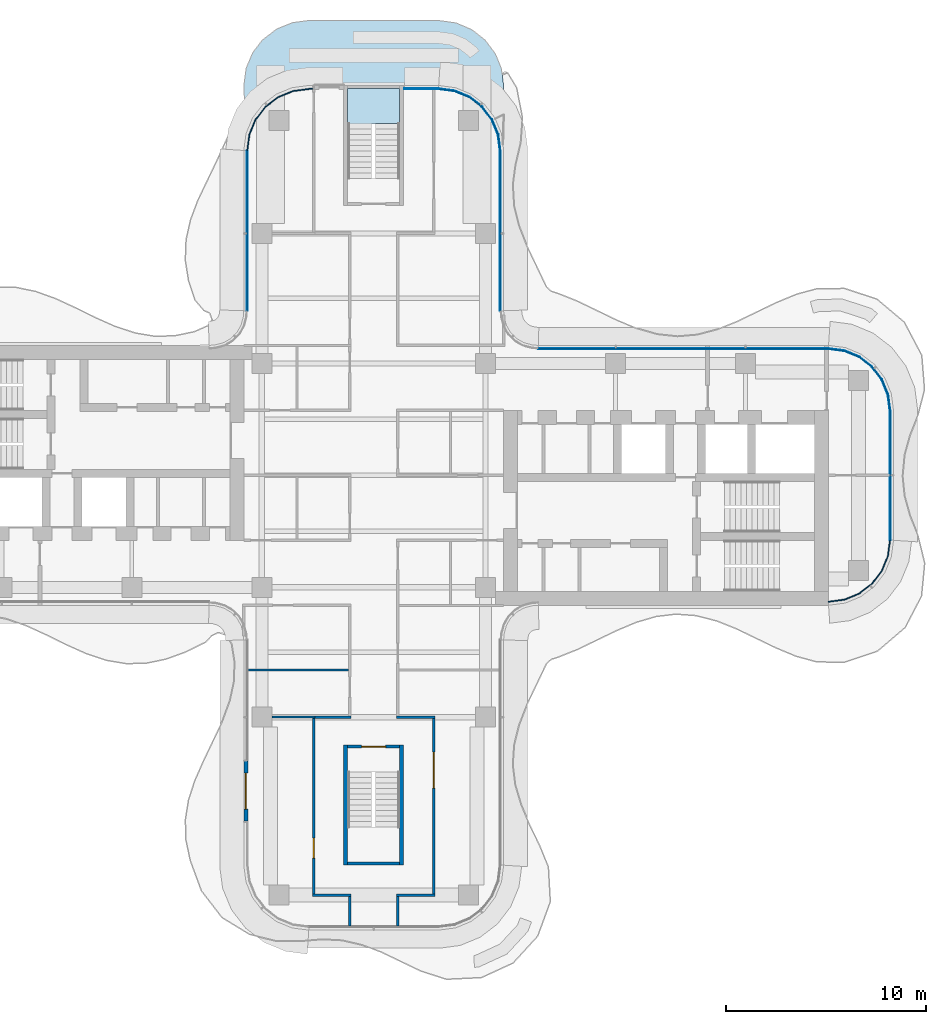
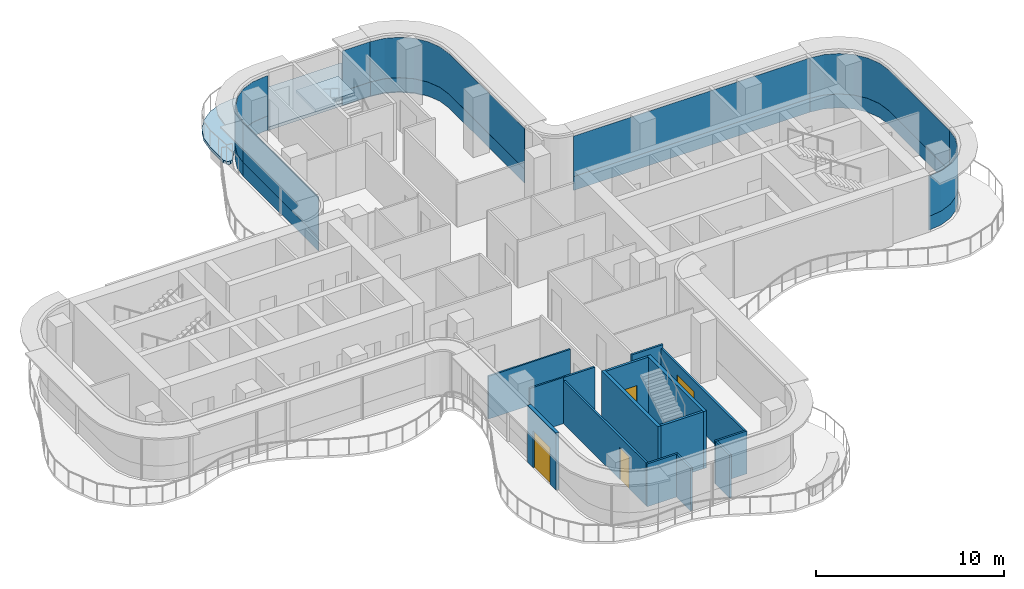
# One storey, part 10 of 16: 15 walls, 14 plates, 4 doors, 2 slabs, 4 openings, 8 elements without a shape of their own.
"""IFC4 building model written with IfcOpenShell, lengths in metres."""

from ifc_helpers import new_model, si_unit, direction, frame, frame_2d, origin, place, context, subcontext, project, spatial, polyline, rectangle, outline, extrude, source, transform, mapped, material, layer, layer_set, type_object, element, fill, aggregate, save


model = new_model("IFC4")

# Units and contexts
model_context = context("Model", 3, precision=1e-05, world=origin(), true_north=direction((0.0, 1.0)))
body_context = subcontext(model_context, "Body", "Model", "MODEL_VIEW")
ifc_project = project(units=[si_unit("LENGTHUNIT", "METRE"), si_unit("AREAUNIT", "SQUARE_METRE"), si_unit("VOLUMEUNIT", "CUBIC_METRE"), si_unit("PLANEANGLEUNIT", "RADIAN"), si_unit("MASSUNIT", "GRAM", prefix="KILO")], contexts=[model_context])

# Site, building, storey
site_placement = place(None, origin())
site = spatial("IfcSite", under=ifc_project, at=site_placement, CompositionType="ELEMENT")
building_placement = place(site_placement, origin())
building = spatial("IfcBuilding", under=site, at=building_placement, Name="Trellis Farm Tower", CompositionType="ELEMENT")
storey_placement = place(building_placement, frame((0.0, 0.0, 302.800048828125)))
storey = spatial("IfcBuildingStorey", under=building, at=storey_placement, Name="L68", CompositionType="ELEMENT", Elevation=302.800048828125)

# Curtain wall, plates
ifc_material_1 = material(Name="Aluminium and glass curtain wall", Category="aluminium")
ifc_layer_1 = layer(ifc_material_1, 0.18994140625)
ifc_layer_set_1 = layer_set([ifc_layer_1], Name="RIBBON CURTAIN WALL CW1")
curtain_wall_type = type_object("IfcCurtainWallType", Name="RIBBON CURTAIN WALL CW1", PredefinedType="NOTDEFINED", material=ifc_layer_set_1)
placement_1 = place(storey_placement, origin())
curtain_wall_1 = element("IfcCurtainWall", 1, at=placement_1, inside=storey, type_object=curtain_wall_type, Name="CW1 011", PredefinedType="NOTDEFINED")
ifc_material_2 = material(Name="Clear insulated glass", Category="glass")
ifc_layer_2 = layer(ifc_material_2, 0.0400390625)
ifc_layer_set_2 = layer_set([ifc_layer_2], Name="CW1 GLASS PANEL 40")
plate_type_1 = type_object("IfcPlateType", Name="CW1 GLASS PANEL 40", PredefinedType="CURTAIN_PANEL", material=ifc_layer_set_2)
placement_2 = place(storey_placement, frame((0.0, 0.0, 0.89990234375)))
plate_1 = element("IfcPlate", 2, at=placement_2, type_object=plate_type_1, Name="PL1 011", PredefinedType="CURTAIN_PANEL", context=body_context, shape_type="SweptSolid", body=[
    extrude(outline(polyline([(-3.0400390625, 19.35009765625), (-3.240234375, 19.35009765625), (-4.052001953125, 19.2431640625), (-4.79931640625, 18.93359375), (-5.441162109375, 18.441162109375), (-5.93359375, 17.79931640625), (-6.2431640625, 17.052001953125), (-6.35009765625, 16.240234375), (-6.31005859375, 16.237548828125), (-6.2041015625, 17.04150390625), (-5.898681640625, 17.779296875), (-5.41259765625, 18.41259765625), (-4.779296875, 18.898681640625), (-4.04150390625, 19.2041015625), (-3.237548828125, 19.31005859375), (-3.0400390625, 19.31005859375), (-3.0400390625, 19.35009765625)])), origin(), (0.0, 0.0, 1.0), 2.6201171875),
])
ifc_material_3 = material(Name="Sandstone faced insulated panel", Category="masonry")
ifc_layer_3 = layer(ifc_material_3, 0.050048828125)
ifc_layer_set_3 = layer_set([ifc_layer_3], Name="CW1 STONE SPANDREL PANEL 50")
plate_type_2 = type_object("IfcPlateType", Name="CW1 STONE SPANDREL PANEL 50", PredefinedType="CURTAIN_PANEL", material=ifc_layer_set_3)
plate_2 = element("IfcPlate", 3, at=placement_1, type_object=plate_type_2, Name="PS1 011", PredefinedType="CURTAIN_PANEL", context=body_context, shape_type="SweptSolid", body=[
    extrude(outline(polyline([(-3.0400390625, 19.35009765625), (-3.240234375, 19.35009765625), (-4.052001953125, 19.2431640625), (-4.79931640625, 18.93359375), (-5.441162109375, 18.441162109375), (-5.93359375, 17.79931640625), (-6.2431640625, 17.052001953125), (-6.35009765625, 16.240234375), (-6.300048828125, 16.23681640625), (-6.1943359375, 17.0390625), (-5.889892578125, 17.774169921875), (-5.405517578125, 18.405517578125), (-4.774169921875, 18.889892578125), (-4.0390625, 19.1943359375), (-3.23681640625, 19.300048828125), (-3.0400390625, 19.300048828125), (-3.0400390625, 19.35009765625)])), origin(), (0.0, 0.0, 1.0), 0.89990234375),
])
aggregate(curtain_wall_1, [plate_1, plate_2])

# Slab
ifc_material_4 = material(Name="Concrete C40/50", Category="concrete")
ifc_layer_4 = layer(ifc_material_4, 0.199951171875)
ifc_layer_set_4 = layer_set([ifc_layer_4], Name="Roof slab on composite deck 200")
slab_type_1 = type_object("IfcSlabType", Name="Roof slab on composite deck 200", PredefinedType="ROOF", material=ifc_layer_set_4)
slab_1_placement = place(storey_placement, frame((0.0, 0.0, -0.199951171875)))
element("IfcSlab", 4, at=slab_1_placement, inside=storey, type_object=slab_type_1, Name="Roof slab", PredefinedType="ROOF", context=body_context, shape_type="SweptSolid", body=[
    extrude(outline(polyline([(-6.4189453125, 17.859619140625), (-6.5, 18.0439453125), (-6.5, 19.483642578125), (-6.497802734375, 19.51611328125), (-6.3935546875, 20.30859375), (-6.376708984375, 20.37158203125), (-6.0771484375, 21.094482421875), (-6.04443359375, 21.151123046875), (-5.568115234375, 21.77197265625), (-5.52197265625, 21.818115234375), (-4.901123046875, 22.29443359375), (-4.844482421875, 22.3271484375), (-4.12158203125, 22.626708984375), (-4.05859375, 22.6435546875), (-3.26611328125, 22.747802734375), (-3.233642578125, 22.75), (3.233642578125, 22.75), (3.26611328125, 22.747802734375), (4.05859375, 22.6435546875), (4.12158203125, 22.626708984375), (4.844482421875, 22.3271484375), (4.901123046875, 22.29443359375), (5.52197265625, 21.818115234375), (5.568115234375, 21.77197265625), (6.04443359375, 21.151123046875), (6.0771484375, 21.094482421875), (6.376708984375, 20.37158203125), (6.3935546875, 20.30859375), (6.497802734375, 19.51611328125), (6.5, 19.483642578125), (6.5, 18.0439453125), (6.4189453125, 17.859619140625), (6.228271484375, 17.794921875), (6.052978515625, 17.89111328125), (5.548583984375, 18.548583984375), (4.875244140625, 19.065185546875), (4.09130859375, 19.389892578125), (3.25, 19.50048828125), (-3.25, 19.50048828125), (-4.09130859375, 19.389892578125), (-4.875244140625, 19.065185546875), (-5.548583984375, 18.548583984375), (-6.052978515625, 17.89111328125), (-6.228271484375, 17.794921875), (-6.4189453125, 17.859619140625)])), origin(), (0.0, 0.0, 1.0), 0.199951171875),
])

# Stair, slab
ifc_material_5 = material(Name="Concrete C50/60", Category="concrete")
stair_type = type_object("IfcStairType", Name="CORE EXIT STAIR 22 RISERS 177 MM", PredefinedType="HALF_TURN_STAIR", material=ifc_material_5)
stair = element("IfcStair", 5, at=placement_1, inside=storey, type_object=stair_type, Name="Exit stair N", PredefinedType="HALF_TURN_STAIR")
ifc_layer_5 = layer(ifc_material_5, 0.18994140625)
ifc_layer_set_5 = layer_set([ifc_layer_5], Name="CORE STAIR LANDING 190 CONCRETE C50/60")
slab_type_2 = type_object("IfcSlabType", Name="CORE STAIR LANDING 190 CONCRETE C50/60", PredefinedType="LANDING", material=ifc_layer_set_5)
shared_shape_1 = source(origin(), body_context, "Body", "SweptSolid", [
    extrude(outline(polyline([(-0.10009765625, 17.27197265625), (-1.300048828125, 17.27197265625), (-1.300048828125, 17.60009765625), (-1.300048828125, 19.35009765625), (1.300048828125, 19.35009765625), (1.300048828125, 17.60009765625), (1.300048828125, 17.590087890625), (0.10009765625, 17.590087890625), (0.10009765625, 17.60009765625), (-0.10009765625, 17.60009765625), (-0.10009765625, 17.27197265625)])), origin(), (0.0, 0.0, 1.0), 0.18994140625),
])
slab_2_placement = place(storey_placement, frame((0.0, 0.0, 1.760009765625)))
slab_2 = element("IfcSlab", 6, at=slab_2_placement, type_object=slab_type_2, Name="STN landing 1", PredefinedType="LANDING", context=body_context, shape_type="MappedRepresentation", body=[
    mapped(shared_shape_1, transform((0.0, 0.0, 0.0))),
])
aggregate(stair, [slab_2])

# Curtain wall, plates
curtain_wall_2 = element("IfcCurtainWall", 7, at=placement_1, inside=storey, type_object=curtain_wall_type, Name="CW1 006", PredefinedType="NOTDEFINED")
shared_shape_2 = source(origin(), body_context, "Body", "SweptSolid", [
    extrude(outline(polyline([(22.740234375, -6.35009765625), (23.552001953125, -6.2431640625), (24.29931640625, -5.93359375), (24.941162109375, -5.441162109375), (25.43359375, -4.79931640625), (25.7431640625, -4.052001953125), (25.85009765625, -3.240234375), (25.81005859375, -3.237548828125), (25.7041015625, -4.04150390625), (25.398681640625, -4.779296875), (24.91259765625, -5.41259765625), (24.279296875, -5.898681640625), (23.54150390625, -6.2041015625), (22.737548828125, -6.31005859375), (22.740234375, -6.35009765625)])), origin(), (0.0, 0.0, 1.0), 2.6201171875),
])
plate_3 = element("IfcPlate", 8, at=placement_2, type_object=plate_type_1, Name="PL1 006", PredefinedType="CURTAIN_PANEL", context=body_context, shape_type="MappedRepresentation", body=[
    mapped(shared_shape_2, transform((0.0, 0.0, 0.0))),
])
shared_shape_3 = source(origin(), body_context, "Body", "SweptSolid", [
    extrude(outline(polyline([(22.740234375, -6.35009765625), (23.552001953125, -6.2431640625), (24.29931640625, -5.93359375), (24.941162109375, -5.441162109375), (25.43359375, -4.79931640625), (25.7431640625, -4.052001953125), (25.85009765625, -3.240234375), (25.800048828125, -3.23681640625), (25.6943359375, -4.0390625), (25.389892578125, -4.774169921875), (24.905517578125, -5.405517578125), (24.274169921875, -5.889892578125), (23.5390625, -6.1943359375), (22.73681640625, -6.300048828125), (22.740234375, -6.35009765625)])), origin(), (0.0, 0.0, 1.0), 0.89990234375),
])
plate_4 = element("IfcPlate", 9, at=placement_1, type_object=plate_type_2, Name="PS1 006", PredefinedType="CURTAIN_PANEL", context=body_context, shape_type="MappedRepresentation", body=[
    mapped(shared_shape_3, transform((0.0, 0.0, 0.0))),
])
aggregate(curtain_wall_2, [plate_3, plate_4])

curtain_wall_3 = element("IfcCurtainWall", 10, at=placement_1, inside=storey, type_object=curtain_wall_type, Name="CW1 007", PredefinedType="NOTDEFINED")
shared_shape_4 = source(origin(), body_context, "Body", "SweptSolid", [
    extrude(outline(polyline([(25.85009765625, -3.240234375), (25.85009765625, 3.240234375), (25.7431640625, 4.052001953125), (25.43359375, 4.79931640625), (24.941162109375, 5.441162109375), (24.29931640625, 5.93359375), (23.552001953125, 6.2431640625), (22.740234375, 6.35009765625), (22.737548828125, 6.31005859375), (23.54150390625, 6.2041015625), (24.279296875, 5.898681640625), (24.91259765625, 5.41259765625), (25.398681640625, 4.779296875), (25.7041015625, 4.04150390625), (25.81005859375, 3.237548828125), (25.81005859375, -3.237548828125), (25.85009765625, -3.240234375)])), origin(), (0.0, 0.0, 1.0), 2.6201171875),
])
plate_5 = element("IfcPlate", 11, at=placement_2, type_object=plate_type_1, Name="PL1 007", PredefinedType="CURTAIN_PANEL", context=body_context, shape_type="MappedRepresentation", body=[
    mapped(shared_shape_4, transform((0.0, 0.0, 0.0))),
])
shared_shape_5 = source(origin(), body_context, "Body", "SweptSolid", [
    extrude(outline(polyline([(25.85009765625, -3.240234375), (25.85009765625, 3.240234375), (25.7431640625, 4.052001953125), (25.43359375, 4.79931640625), (24.941162109375, 5.441162109375), (24.29931640625, 5.93359375), (23.552001953125, 6.2431640625), (22.740234375, 6.35009765625), (22.73681640625, 6.300048828125), (23.5390625, 6.1943359375), (24.274169921875, 5.889892578125), (24.905517578125, 5.405517578125), (25.389892578125, 4.774169921875), (25.6943359375, 4.0390625), (25.800048828125, 3.23681640625), (25.800048828125, -3.23681640625), (25.85009765625, -3.240234375)])), origin(), (0.0, 0.0, 1.0), 0.89990234375),
])
plate_6 = element("IfcPlate", 12, at=placement_1, type_object=plate_type_2, Name="PS1 007", PredefinedType="CURTAIN_PANEL", context=body_context, shape_type="MappedRepresentation", body=[
    mapped(shared_shape_5, transform((0.0, 0.0, 0.0))),
])
aggregate(curtain_wall_3, [plate_5, plate_6])

curtain_wall_4 = element("IfcCurtainWall", 13, at=placement_1, inside=storey, type_object=curtain_wall_type, Name="CW1 008", PredefinedType="NOTDEFINED")
shared_shape_6 = source(origin(), body_context, "Body", "SweptSolid", [
    extrude(outline(polyline([(22.740234375, 6.35009765625), (8.2265625, 6.35009765625), (8.22509765625, 6.31005859375), (22.737548828125, 6.31005859375), (22.740234375, 6.35009765625)])), origin(), (0.0, 0.0, 1.0), 2.6201171875),
])
plate_7 = element("IfcPlate", 14, at=placement_2, type_object=plate_type_1, Name="PL1 008", PredefinedType="CURTAIN_PANEL", context=body_context, shape_type="MappedRepresentation", body=[
    mapped(shared_shape_6, transform((0.0, 0.0, 0.0))),
])
shared_shape_7 = source(origin(), body_context, "Body", "SweptSolid", [
    extrude(outline(polyline([(22.740234375, 6.35009765625), (8.2265625, 6.35009765625), (8.224853515625, 6.300048828125), (22.73681640625, 6.300048828125), (22.740234375, 6.35009765625)])), origin(), (0.0, 0.0, 1.0), 0.89990234375),
])
plate_8 = element("IfcPlate", 15, at=placement_1, type_object=plate_type_2, Name="PS1 008", PredefinedType="CURTAIN_PANEL", context=body_context, shape_type="MappedRepresentation", body=[
    mapped(shared_shape_7, transform((0.0, 0.0, 0.0))),
])
aggregate(curtain_wall_4, [plate_7, plate_8])

curtain_wall_5 = element("IfcCurtainWall", 16, at=placement_1, inside=storey, type_object=curtain_wall_type, Name="CW1 009", PredefinedType="NOTDEFINED")
shared_shape_8 = source(origin(), body_context, "Body", "SweptSolid", [
    extrude(outline(polyline([(6.35009765625, 8.2265625), (6.35009765625, 16.240234375), (6.2431640625, 17.052001953125), (5.93359375, 17.79931640625), (5.441162109375, 18.441162109375), (4.79931640625, 18.93359375), (4.052001953125, 19.2431640625), (3.240234375, 19.35009765625), (3.237548828125, 19.31005859375), (4.04150390625, 19.2041015625), (4.779296875, 18.898681640625), (5.41259765625, 18.41259765625), (5.898681640625, 17.779296875), (6.2041015625, 17.04150390625), (6.31005859375, 16.237548828125), (6.31005859375, 8.22509765625), (6.35009765625, 8.2265625)])), origin(), (0.0, 0.0, 1.0), 2.6201171875),
])
plate_9 = element("IfcPlate", 17, at=placement_2, type_object=plate_type_1, Name="PL1 009", PredefinedType="CURTAIN_PANEL", context=body_context, shape_type="MappedRepresentation", body=[
    mapped(shared_shape_8, transform((0.0, 0.0, 0.0))),
])
shared_shape_9 = source(origin(), body_context, "Body", "SweptSolid", [
    extrude(outline(polyline([(6.35009765625, 8.2265625), (6.35009765625, 16.240234375), (6.2431640625, 17.052001953125), (5.93359375, 17.79931640625), (5.441162109375, 18.441162109375), (4.79931640625, 18.93359375), (4.052001953125, 19.2431640625), (3.240234375, 19.35009765625), (3.23681640625, 19.300048828125), (4.0390625, 19.1943359375), (4.774169921875, 18.889892578125), (5.405517578125, 18.405517578125), (5.889892578125, 17.774169921875), (6.1943359375, 17.0390625), (6.300048828125, 16.23681640625), (6.300048828125, 8.224853515625), (6.35009765625, 8.2265625)])), origin(), (0.0, 0.0, 1.0), 0.89990234375),
])
plate_10 = element("IfcPlate", 18, at=placement_1, type_object=plate_type_2, Name="PS1 009", PredefinedType="CURTAIN_PANEL", context=body_context, shape_type="MappedRepresentation", body=[
    mapped(shared_shape_9, transform((0.0, 0.0, 0.0))),
])
aggregate(curtain_wall_5, [plate_9, plate_10])

curtain_wall_6 = element("IfcCurtainWall", 19, at=placement_1, inside=storey, type_object=curtain_wall_type, Name="CW1 010", PredefinedType="NOTDEFINED")
shared_shape_10 = source(origin(), body_context, "Body", "SweptSolid", [
    extrude(outline(polyline([(3.240234375, 19.35009765625), (1.530029296875, 19.35009765625), (1.530029296875, 19.31005859375), (3.237548828125, 19.31005859375), (3.240234375, 19.35009765625)])), origin(), (0.0, 0.0, 1.0), 2.6201171875),
])
plate_11 = element("IfcPlate", 20, at=placement_2, type_object=plate_type_1, Name="PL1 010", PredefinedType="CURTAIN_PANEL", context=body_context, shape_type="MappedRepresentation", body=[
    mapped(shared_shape_10, transform((0.0, 0.0, 0.0))),
])
shared_shape_11 = source(origin(), body_context, "Body", "SweptSolid", [
    extrude(outline(polyline([(3.240234375, 19.35009765625), (1.530029296875, 19.35009765625), (1.530029296875, 19.300048828125), (3.23681640625, 19.300048828125), (3.240234375, 19.35009765625)])), origin(), (0.0, 0.0, 1.0), 0.89990234375),
])
plate_12 = element("IfcPlate", 21, at=placement_1, type_object=plate_type_2, Name="PS1 010", PredefinedType="CURTAIN_PANEL", context=body_context, shape_type="MappedRepresentation", body=[
    mapped(shared_shape_11, transform((0.0, 0.0, 0.0))),
])
aggregate(curtain_wall_6, [plate_11, plate_12])

curtain_wall_7 = element("IfcCurtainWall", 22, at=placement_1, inside=storey, type_object=curtain_wall_type, Name="CW1 012", PredefinedType="NOTDEFINED")
shared_shape_12 = source(origin(), body_context, "Body", "SweptSolid", [
    extrude(outline(polyline([(-6.35009765625, 16.240234375), (-6.35009765625, 8.2265625), (-6.31005859375, 8.22509765625), (-6.31005859375, 16.237548828125), (-6.35009765625, 16.240234375)])), origin(), (0.0, 0.0, 1.0), 2.6201171875),
])
plate_13 = element("IfcPlate", 23, at=placement_2, type_object=plate_type_1, Name="PL1 012", PredefinedType="CURTAIN_PANEL", context=body_context, shape_type="MappedRepresentation", body=[
    mapped(shared_shape_12, transform((0.0, 0.0, 0.0))),
])
shared_shape_13 = source(origin(), body_context, "Body", "SweptSolid", [
    extrude(outline(polyline([(-6.35009765625, 16.240234375), (-6.35009765625, 8.2265625), (-6.300048828125, 8.224853515625), (-6.300048828125, 16.23681640625), (-6.35009765625, 16.240234375)])), origin(), (0.0, 0.0, 1.0), 0.89990234375),
])
plate_14 = element("IfcPlate", 24, at=placement_1, type_object=plate_type_2, Name="PS1 012", PredefinedType="CURTAIN_PANEL", context=body_context, shape_type="MappedRepresentation", body=[
    mapped(shared_shape_13, transform((0.0, 0.0, 0.0))),
])
aggregate(curtain_wall_7, [plate_13, plate_14])

# Walls
ifc_layer_6 = layer(ifc_material_5, 0.199951171875)
ifc_layer_set_6 = layer_set([ifc_layer_6], Name="CORE STAIR ENCLOSURE WALL 200 CONCRETE C50/60")
wall_type_1 = type_object("IfcWallType", Name="CORE STAIR ENCLOSURE WALL 200 CONCRETE C50/60", PredefinedType="SHEAR", material=ifc_layer_set_6)
shared_shape_14 = source(origin(), body_context, "Body", "SweptSolid", [
    extrude(rectangle(XDim=6.0, YDim=0.199951171875, at=frame_2d((3.0, 0.0))), origin(), (0.0, 0.0, 1.0), 3.699951171875),
])
for number, where, z_axis, x_axis, name in (
    (25, (1.39990234375, -13.5, 0.0), (0.0, 0.0, 1.0), (0.0, -1.0, 0.0), "Stair enclosure wall"),
    (26, (-1.39990234375, -13.5, 0.0), (0.0, 0.0, 1.0), (0.0, -1.0, 0.0), "Stair enclosure wall"),
):
    element("IfcWall", number, at=place(storey_placement, frame(where, z_axis=z_axis, x_axis=x_axis)), inside=storey, type_object=wall_type_1, Name=name, PredefinedType="SHEAR", context=body_context, shape_type="MappedRepresentation", body=[
        mapped(shared_shape_14, transform((0.0, 0.0, 0.0))),
    ])

# Wall, opening, door
ifc_layer_7 = layer(ifc_material_5, 0.14990234375)
ifc_layer_set_7 = layer_set([ifc_layer_7], Name="CORE STAIR ENCLOSURE WALL 150 CONCRETE C50/60")
wall_type_2 = type_object("IfcWallType", Name="CORE STAIR ENCLOSURE WALL 150 CONCRETE C50/60", PredefinedType="SHEAR", material=ifc_layer_set_7)
shared_shape_15 = source(origin(), body_context, "Body", "SweptSolid", [
    extrude(rectangle(XDim=2.60009765625, YDim=0.14990234375, at=frame_2d((1.300048828125, 0.0))), origin(), (0.0, 0.0, 1.0), 3.699951171875),
])
wall_1_placement = place(storey_placement, frame((1.300048828125, -13.574951171875, 0.0), z_axis=(0.0, 0.0, 1.0), x_axis=(-1.0, 0.0, 0.0)))
wall_1 = element("IfcWall", 27, at=wall_1_placement, inside=storey, type_object=wall_type_2, Name="Stair enclosure wall", PredefinedType="SHEAR", context=body_context, shape_type="MappedRepresentation", body=[
    mapped(shared_shape_15, transform((0.0, 0.0, 0.0))),
])
shared_shape_16 = source(origin(), body_context, "Body", "SweptSolid", [
    extrude(rectangle(XDim=1.199951171875, YDim=2.10009765625, at=frame_2d((0.60009765625, 1.050048828125))), frame((0.0, 0.0849609375, 0.0), z_axis=(0.0, -1.0, 0.0), x_axis=(1.0, 0.0, 0.0)), (0.0, 0.0, 1.0), 0.169921875),
])
opening_1_placement = place(wall_1_placement, frame((0.699951171875, 0.0, 0.0)))
opening_1 = element("IfcOpeningElement", 28, at=opening_1_placement, cuts=wall_1, Name="Opening DC174", PredefinedType="OPENING", context=body_context, shape_type="MappedRepresentation", body=[
    mapped(shared_shape_16, transform((0.0, 0.0, 0.0))),
])
ifc_material_6 = material(Name="Steel", Category="steel")
door_type_1 = type_object("IfcDoorType", Name="CORE FIRE DOOR 1200 X 2100", OperationType="NOTDEFINED", PredefinedType="DOOR", material=ifc_material_6)
shared_shape_17 = source(origin(), body_context, "Body", "SweptSolid", [
    extrude(rectangle(XDim=1.199951171875, YDim=2.10009765625, at=frame_2d((0.60009765625, 1.050048828125))), frame((0.0, 0.02490234375, 0.0), z_axis=(0.0, -1.0, 0.0), x_axis=(1.0, 0.0, 0.0)), (0.0, 0.0, 1.0), 0.050048828125),
])
door_1_placement = place(opening_1_placement, origin())
door_1 = element("IfcDoor", 29, at=door_1_placement, inside=storey, type_object=door_type_1, Name="Core door", OperationType="SINGLE_SWING_RIGHT", OverallHeight=2.10009765625, OverallWidth=1.199951171875, PredefinedType="DOOR", context=body_context, shape_type="MappedRepresentation", body=[
    mapped(shared_shape_17, transform((0.0, 0.0, 0.0))),
])
fill(opening_1, door_1)

# Wall
wall_2_placement = place(storey_placement, frame((1.300048828125, -19.425048828125, 0.0), z_axis=(0.0, 0.0, 1.0), x_axis=(-1.0, 0.0, 0.0)))
element("IfcWall", 30, at=wall_2_placement, inside=storey, type_object=wall_type_2, Name="Stair enclosure wall", PredefinedType="SHEAR", context=body_context, shape_type="MappedRepresentation", body=[
    mapped(shared_shape_15, transform((0.0, 0.0, 0.0))),
])

# Wall, opening, door
ifc_material_7 = material(Name="Sandstone faced insulated wall", Category="masonry")
ifc_layer_8 = layer(ifc_material_7, 0.199951171875)
ifc_layer_set_8 = layer_set([ifc_layer_8], Name="EXTERNAL INFILL WALL 200")
wall_type_3 = type_object("IfcWallType", Name="EXTERNAL INFILL WALL 200", PredefinedType="SOLIDWALL", material=ifc_layer_set_8)
shared_shape_18 = source(origin(), body_context, "Body", "SweptSolid", [
    extrude(rectangle(XDim=3.0, YDim=0.199951171875, at=frame_2d((1.5, 0.0))), origin(), (0.0, 0.0, 1.0), 3.699951171875),
])
wall_3_placement = place(storey_placement, frame((-6.39990234375, -14.300048828125, 0.0), z_axis=(0.0, 0.0, 1.0), x_axis=(0.0, -1.0, 0.0)))
wall_3 = element("IfcWall", 31, at=wall_3_placement, inside=storey, type_object=wall_type_3, Name="EW1 01", PredefinedType="SOLIDWALL", context=body_context, shape_type="MappedRepresentation", body=[
    mapped(shared_shape_18, transform((0.0, 0.0, 0.0))),
])
shared_shape_19 = source(origin(), body_context, "Body", "SweptSolid", [
    extrude(rectangle(XDim=1.800048828125, YDim=2.39990234375, at=frame_2d((0.89990234375, 1.199951171875))), frame((0.0, 0.110107421875, 0.0), z_axis=(0.0, -1.0, 0.0), x_axis=(1.0, 0.0, 0.0)), (0.0, 0.0, 1.0), 0.22021484375),
])
opening_2_placement = place(wall_3_placement, frame((0.60009765625, 0.0, 0.0)))
opening_2 = element("IfcOpeningElement", 32, at=opening_2_placement, cuts=wall_3, Name="Opening ED1", PredefinedType="OPENING", context=body_context, shape_type="MappedRepresentation", body=[
    mapped(shared_shape_19, transform((0.0, 0.0, 0.0))),
])
ifc_material_8 = material(Name="Aluminium framed glazed door", Category="aluminium")
door_type_2 = type_object("IfcDoorType", Name="BALCONY DOOR 1800x2400", OperationType="DOUBLE_DOOR_SINGLE_SWING", PredefinedType="DOOR", material=ifc_material_8)
shared_shape_20 = source(origin(), body_context, "Body", "SweptSolid", [
    extrude(rectangle(XDim=1.800048828125, YDim=2.39990234375, at=frame_2d((0.89990234375, 1.199951171875))), frame((0.0, 0.02490234375, 0.0), z_axis=(0.0, -1.0, 0.0), x_axis=(1.0, 0.0, 0.0)), (0.0, 0.0, 1.0), 0.050048828125),
])
door_2_placement = place(opening_2_placement, origin())
door_2 = element("IfcDoor", 33, at=door_2_placement, inside=storey, type_object=door_type_2, Name="Balcony door", OperationType="DOUBLE_DOOR_SINGLE_SWING", OverallHeight=2.39990234375, OverallWidth=1.800048828125, PredefinedType="DOOR", context=body_context, shape_type="MappedRepresentation", body=[
    mapped(shared_shape_20, transform((0.0, 0.0, 0.0))),
])
fill(opening_2, door_2)

# Walls
ifc_material_9 = material(Name="Plasterboard on steel studs, mineral wool", Category="steel")
ifc_layer_9 = layer(ifc_material_9, 0.125)
ifc_layer_set_9 = layer_set([ifc_layer_9], Name="PARTITION 125 STUD EI 60")
wall_type_4 = type_object("IfcWallType", Name="PARTITION 125 STUD EI 60", PredefinedType="PARTITIONING", material=ifc_layer_set_9)
shared_shape_21 = source(origin(), body_context, "Body", "SweptSolid", [
    extrude(rectangle(XDim=1.925048828125, YDim=0.125, at=frame_2d((0.96240234375, 0.0))), origin(), (0.0, 0.0, 1.0), 2.99658203125),
])
for number, where, z_axis, x_axis, name in (
    (34, (-3.0625, -12.10009765625, 0.0), (0.0, 0.0, 1.0), (1.0, 0.0, 0.0), "Partition PW1"),
    (35, (1.137451171875, -12.10009765625, 0.0), (0.0, 0.0, 1.0), (1.0, 0.0, 0.0), "Partition PW1"),
):
    element("IfcWall", number, at=place(storey_placement, frame(where, z_axis=z_axis, x_axis=x_axis)), inside=storey, type_object=wall_type_4, Name=name, PredefinedType="PARTITIONING", context=body_context, shape_type="MappedRepresentation", body=[
        mapped(shared_shape_21, transform((0.0, 0.0, 0.0))),
    ])
ifc_material_10 = material(Name="Plasterboard on steel studs", Category="steel")
ifc_layer_10 = layer(ifc_material_10, 0.10009765625)
ifc_layer_set_10 = layer_set([ifc_layer_10], Name="PARTITION 100 STUD EI 30")
wall_type_5 = type_object("IfcWallType", Name="PARTITION 100 STUD EI 30", PredefinedType="PARTITIONING", material=ifc_layer_set_10)
shared_shape_22 = source(origin(), body_context, "Body", "SweptSolid", [
    extrude(rectangle(XDim=5.03759765625, YDim=0.10009765625, at=frame_2d((2.518798828125, 0.0))), origin(), (0.0, 0.0, 1.0), 2.780029296875),
])
wall_4_placement = place(storey_placement, frame((-6.300048828125, -9.75, 0.0), z_axis=(0.0, 0.0, 1.0), x_axis=(1.0, 0.0, 0.0)))
element("IfcWall", 36, at=wall_4_placement, inside=storey, type_object=wall_type_5, Name="Partition PW2", PredefinedType="PARTITIONING", context=body_context, shape_type="MappedRepresentation", body=[
    mapped(shared_shape_22, transform((0.0, 0.0, 0.0))),
])

# Wall, opening, door
shared_shape_23 = source(origin(), body_context, "Body", "SweptSolid", [
    extrude(rectangle(XDim=8.77490234375, YDim=0.125, at=frame_2d((4.387451171875, 0.0))), origin(), (0.0, 0.0, 1.0), 2.780029296875),
])
wall_5_placement = place(storey_placement, frame((3.0, -12.16259765625, 0.0), z_axis=(0.0, 0.0, 1.0), x_axis=(0.0, -1.0, 0.0)))
wall_5 = element("IfcWall", 37, at=wall_5_placement, inside=storey, type_object=wall_type_4, Name="Partition PW1", PredefinedType="PARTITIONING", context=body_context, shape_type="MappedRepresentation", body=[
    mapped(shared_shape_23, transform((0.0, 0.0, 0.0))),
])
shared_shape_24 = source(origin(), body_context, "Body", "SweptSolid", [
    extrude(rectangle(XDim=1.800048828125, YDim=2.10009765625, at=frame_2d((0.89990234375, 1.050048828125))), frame((0.0, 0.072509765625, 0.0), z_axis=(0.0, -1.0, 0.0), x_axis=(1.0, 0.0, 0.0)), (0.0, 0.0, 1.0), 0.14501953125),
])
opening_3_placement = place(wall_5_placement, frame((1.6875, 0.0, 0.0)))
opening_3 = element("IfcOpeningElement", 38, at=opening_3_placement, cuts=wall_5, Name="Opening D201", PredefinedType="OPENING", context=body_context, shape_type="MappedRepresentation", body=[
    mapped(shared_shape_24, transform((0.0, 0.0, 0.0))),
])
ifc_material_11 = material(Name="Fire-rated timber door leaf in a hollow metal frame", Category="wood")
door_type_3 = type_object("IfcDoorType", Name="DOOR PAIR 1800x2100 FD30S", OperationType="NOTDEFINED", PredefinedType="DOOR", material=ifc_material_11)
shared_shape_25 = source(origin(), body_context, "Body", "SweptSolid", [
    extrude(rectangle(XDim=1.800048828125, YDim=2.10009765625, at=frame_2d((0.89990234375, 1.050048828125))), frame((0.0, 0.02490234375, 0.0), z_axis=(0.0, -1.0, 0.0), x_axis=(1.0, 0.0, 0.0)), (0.0, 0.0, 1.0), 0.050048828125),
])
door_3_placement = place(opening_3_placement, origin())
door_3 = element("IfcDoor", 39, at=door_3_placement, inside=storey, type_object=door_type_3, Name="Door D201", OperationType="DOUBLE_DOOR_SINGLE_SWING", OverallHeight=2.10009765625, OverallWidth=1.800048828125, PredefinedType="DOOR", context=body_context, shape_type="MappedRepresentation", body=[
    mapped(shared_shape_25, transform((0.0, 0.0, 0.0))),
])
fill(opening_3, door_3)

# Walls
shared_shape_26 = source(origin(), body_context, "Body", "SweptSolid", [
    extrude(rectangle(XDim=1.487548828125, YDim=0.125, at=frame_2d((0.74365234375, 0.0))), origin(), (0.0, 0.0, 1.0), 2.780029296875),
])
for number, where, z_axis, x_axis, name in (
    (40, (-1.199951171875, -21.0625, 0.0), (0.0, 0.0, 1.0), (0.0, -1.0, 0.0), "Partition PW1"),
    (41, (1.199951171875, -21.0625, 0.0), (0.0, 0.0, 1.0), (0.0, -1.0, 0.0), "Partition PW1"),
):
    element("IfcWall", number, at=place(storey_placement, frame(where, z_axis=z_axis, x_axis=x_axis)), inside=storey, type_object=wall_type_4, Name=name, PredefinedType="PARTITIONING", context=body_context, shape_type="MappedRepresentation", body=[
        mapped(shared_shape_26, transform((0.0, 0.0, 0.0))),
    ])
shared_shape_27 = source(origin(), body_context, "Body", "SweptSolid", [
    extrude(rectangle(XDim=1.925048828125, YDim=0.125, at=frame_2d((0.96240234375, 0.0))), origin(), (0.0, 0.0, 1.0), 2.780029296875),
])
for number, where, z_axis, x_axis, name in (
    (42, (-1.137451171875, -21.0, 0.0), (0.0, 0.0, 1.0), (-1.0, 0.0, 0.0), "Partition PW1"),
    (43, (3.0625, -21.0, 0.0), (0.0, 0.0, 1.0), (-1.0, 0.0, 0.0), "Partition PW1"),
):
    element("IfcWall", number, at=place(storey_placement, frame(where, z_axis=z_axis, x_axis=x_axis)), inside=storey, type_object=wall_type_4, Name=name, PredefinedType="PARTITIONING", context=body_context, shape_type="MappedRepresentation", body=[
        mapped(shared_shape_27, transform((0.0, 0.0, 0.0))),
    ])

# Wall, opening, door
shared_shape_28 = source(origin(), body_context, "Body", "SweptSolid", [
    extrude(rectangle(XDim=8.78759765625, YDim=0.125, at=frame_2d((4.393798828125, 0.0))), origin(), (0.0, 0.0, 1.0), 2.780029296875),
])
wall_6_placement = place(storey_placement, frame((-3.0, -20.9375, 0.0), z_axis=(0.0, 0.0, 1.0), x_axis=(0.0, 1.0, 0.0)))
wall_6 = element("IfcWall", 44, at=wall_6_placement, inside=storey, type_object=wall_type_4, Name="Partition PW1", PredefinedType="PARTITIONING", context=body_context, shape_type="MappedRepresentation", body=[
    mapped(shared_shape_28, transform((0.0, 0.0, 0.0))),
])
shared_shape_29 = source(origin(), body_context, "Body", "SweptSolid", [
    extrude(rectangle(XDim=1.0, YDim=2.10009765625, at=frame_2d((0.5, 1.050048828125))), frame((0.0, 0.072509765625, 0.0), z_axis=(0.0, -1.0, 0.0), x_axis=(1.0, 0.0, 0.0)), (0.0, 0.0, 1.0), 0.14501953125),
])
opening_4_placement = place(wall_6_placement, frame((1.78759765625, 0.0, 0.0)))
opening_4 = element("IfcOpeningElement", 45, at=opening_4_placement, cuts=wall_6, Name="Opening D101", PredefinedType="OPENING", context=body_context, shape_type="MappedRepresentation", body=[
    mapped(shared_shape_29, transform((0.0, 0.0, 0.0))),
])
door_type_4 = type_object("IfcDoorType", Name="DOOR 1000x2100 FD30S", OperationType="NOTDEFINED", PredefinedType="DOOR", material=ifc_material_11)
shared_shape_30 = source(origin(), body_context, "Body", "SweptSolid", [
    extrude(rectangle(XDim=1.0, YDim=2.10009765625, at=frame_2d((0.5, 1.050048828125))), frame((0.0, 0.02490234375, 0.0), z_axis=(0.0, -1.0, 0.0), x_axis=(1.0, 0.0, 0.0)), (0.0, 0.0, 1.0), 0.050048828125),
])
door_4_placement = place(opening_4_placement, origin())
door_4 = element("IfcDoor", 46, at=door_4_placement, inside=storey, type_object=door_type_4, Name="Door D101", OperationType="SINGLE_SWING_LEFT", OverallHeight=2.10009765625, OverallWidth=1.0, PredefinedType="DOOR", context=body_context, shape_type="MappedRepresentation", body=[
    mapped(shared_shape_30, transform((0.0, 0.0, 0.0))),
])
fill(opening_4, door_4)

# Wall
shared_shape_31 = source(origin(), body_context, "Body", "SweptSolid", [
    extrude(rectangle(XDim=2.16259765625, YDim=0.10009765625, at=frame_2d((1.081298828125, 0.0))), origin(), (0.0, 0.0, 1.0), 2.99658203125),
])
wall_7_placement = place(storey_placement, frame((-5.10009765625, -12.10009765625, 0.0), z_axis=(0.0, 0.0, 1.0), x_axis=(1.0, 0.0, 0.0)))
element("IfcWall", 47, at=wall_7_placement, inside=storey, type_object=wall_type_5, Name="Partition PW2", PredefinedType="PARTITIONING", context=body_context, shape_type="MappedRepresentation", body=[
    mapped(shared_shape_31, transform((0.0, 0.0, 0.0))),
])

save(model, "model.ifc")
